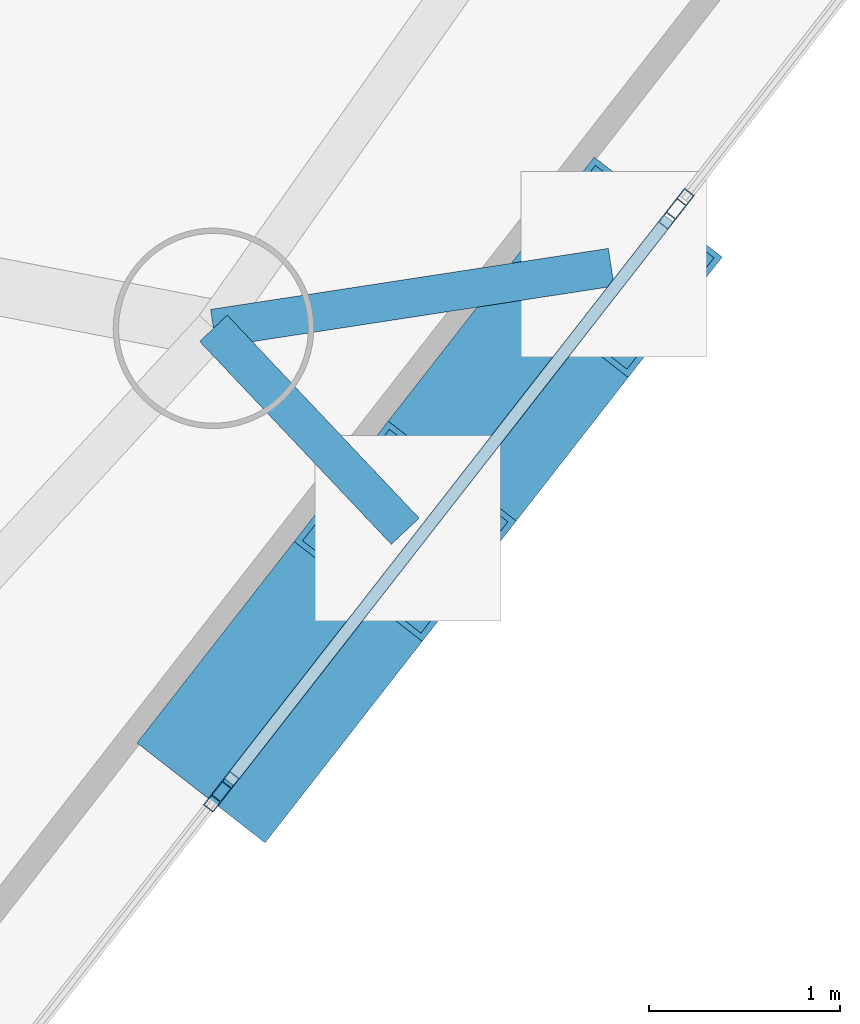
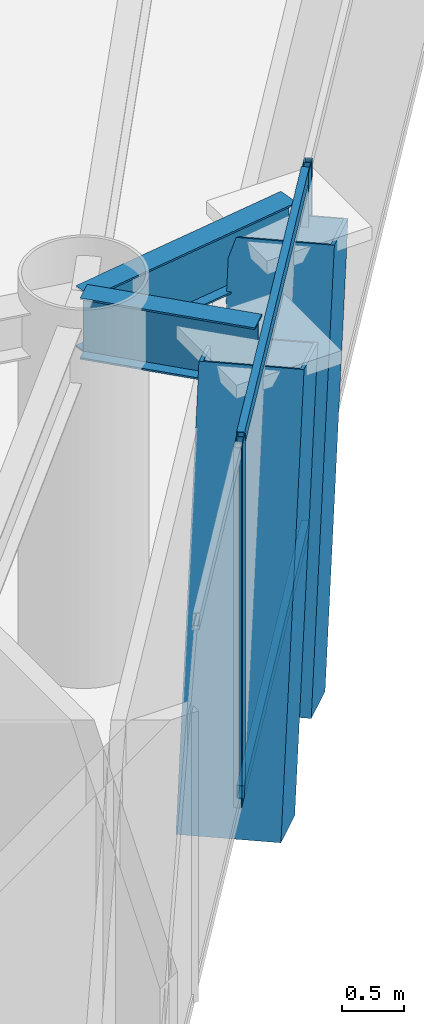
# One storey, part 6 of 18: 8 members, 2 beams, 3 elements without a shape of their own.
"""IFC4 building model written with IfcOpenShell, lengths in metres."""

from ifc_helpers import new_model, si_unit, direction, frame, origin, origin_2d, place, context, subcontext, project, spatial, hollow_rectangle, i_section, extrude, material, layer, layer_set, material_profile, profile_set, type_object, element, aggregate, save


model = new_model("IFC4")

# Units and contexts
model_context = context("Model", 3, precision=1e-05, world=origin(), true_north=direction((0.0, 1.0)))
body_context = subcontext(model_context, "Body", "Model", "MODEL_VIEW")
ifc_project = project(units=[si_unit("LENGTHUNIT", "METRE"), si_unit("AREAUNIT", "SQUARE_METRE"), si_unit("VOLUMEUNIT", "CUBIC_METRE"), si_unit("PLANEANGLEUNIT", "RADIAN"), si_unit("MASSUNIT", "GRAM", prefix="KILO")], contexts=[model_context])

# Site, building, storey
site_placement = place(None, origin())
site = spatial("IfcSite", under=ifc_project, at=site_placement, CompositionType="ELEMENT")
building_placement = place(site_placement, origin())
building = spatial("IfcBuilding", under=site, at=building_placement, Name="Qianvela Tower", CompositionType="ELEMENT")
storey_placement = place(building_placement, frame((0.0, 0.0, 264.89990234375)))
storey = spatial("IfcBuildingStorey", under=building, at=storey_placement, Name="L68", CompositionType="ELEMENT", Elevation=264.89990234375)

# Beams
ifc_material_1 = material(Name="Steel Q355B", Category="steel")
ifc_material_profile_1 = material_profile(ifc_material_1, i_section(OverallWidth=0.199951171875, OverallDepth=0.60009765625, WebThickness=0.010986328125, FlangeThickness=0.01708984375, at=origin_2d()), Name="HN600x200x11x17")
ifc_profile_set_1 = profile_set([ifc_material_profile_1], Name="Steel Q355B")
beam_type = type_object("IfcBeamType", Name="BM-HN600-GIRD", PredefinedType="BEAM", material=ifc_profile_set_1)
beam_1_placement = place(storey_placement, frame((45.43603515625, 20.597900390625, 3.218017578125), z_axis=(0.686775587085, -0.726869515789, 0.0), x_axis=(0.726869515789, 0.686775587085, 0.0)))
element("IfcBeam", 1, at=beam_1_placement, inside=storey, type_object=beam_type, Name="L68 Mega-Brace Column Tie Bracket F3-1", PredefinedType="BEAM", context=body_context, shape_type="SweptSolid", body=[
    extrude(i_section(OverallWidth=0.199951171875, OverallDepth=0.60009765625, WebThickness=0.010986328125, FlangeThickness=0.01708984375, at=origin_2d()), origin(), (0.0, 0.0, 1.0), 1.46142578125),
])
beam_2_placement = place(storey_placement, frame((45.43603515625, 20.597900390625, 3.218017578125), z_axis=(0.98844127112, 0.151604266255, 0.0), x_axis=(-0.151604266255, 0.98844127112, 0.0)))
element("IfcBeam", 2, at=beam_2_placement, inside=storey, type_object=beam_type, Name="L68 Mega-Brace Column Tie Bracket F3-2", PredefinedType="BEAM", context=body_context, shape_type="SweptSolid", body=[
    extrude(i_section(OverallWidth=0.199951171875, OverallDepth=0.60009765625, WebThickness=0.010986328125, FlangeThickness=0.01708984375, at=origin_2d()), origin(), (0.0, 0.0, 1.0), 2.1064453125),
])

# Curtain wall, members
ifc_material_2 = material(Name="Anodised Architectural Aluminium and Insulated Spandrel Panel", Category="aluminium")
ifc_layer_1 = layer(ifc_material_2, 0.179931640625)
ifc_layer_set_1 = layer_set([ifc_layer_1], Name="Anodised Architectural Aluminium and Insulated Spandrel Panel")
curtain_wall_type_1 = type_object("IfcCurtainWallType", Name="CW-BRACEBAY", PredefinedType="USERDEFINED", material=ifc_layer_set_1)
curtain_wall_1_placement = place(storey_placement, origin())
curtain_wall_1 = element("IfcCurtainWall", 3, at=curtain_wall_1_placement, inside=storey, type_object=curtain_wall_type_1, Name="L68 CW-BRACEBAY Curtain Wall 06B", ObjectType="CURTAIN_WALL_SYSTEM", PredefinedType="USERDEFINED")
ifc_material_3 = material(Name="Anodised Architectural Aluminium 6063-T6", Category="aluminium")
ifc_material_profile_2 = material_profile(ifc_material_3, hollow_rectangle(XDim=0.06494140625, YDim=0.159912109375, WallThickness=0.0048828125, at=origin_2d()), Name="ALU-MULL-65x160")
ifc_profile_set_2 = profile_set([ifc_material_profile_2], Name="Anodised Architectural Aluminium 6063-T6")
member_type_1 = type_object("IfcMemberType", Name="CW-BRACEBAY-MULL", PredefinedType="MULLION", material=ifc_profile_set_2)
member_1_placement = place(storey_placement, frame((45.49755859375, 18.197998046875, 0.0), z_axis=(0.0, 0.0, 1.0), x_axis=(-0.788374471269, 0.615195654286, 0.0)))
member_1 = element("IfcMember", 4, at=member_1_placement, type_object=member_type_1, Name="CW-9 mullion 1", PredefinedType="MULLION", context=body_context, shape_type="SweptSolid", body=[
    extrude(hollow_rectangle(XDim=0.06494140625, YDim=0.159912109375, WallThickness=0.0048828125, at=origin_2d()), origin(), (0.0, 0.0, 1.0), 3.52001953125),
])
member_2_placement = place(storey_placement, frame((47.83837890625, 21.19775390625, 0.0), z_axis=(0.0, 0.0, 1.0), x_axis=(-0.788374471269, 0.615195654286, 0.0)))
member_2 = element("IfcMember", 5, at=member_2_placement, type_object=member_type_1, Name="CW-9 mullion 2", PredefinedType="MULLION", context=body_context, shape_type="SweptSolid", body=[
    extrude(hollow_rectangle(XDim=0.06494140625, YDim=0.159912109375, WallThickness=0.0048828125, at=origin_2d()), origin(), (0.0, 0.0, 1.0), 3.52001953125),
])
ifc_material_4 = material(Name="Anodised Architectural Aluminium 6063-T6", Category="aluminium")
ifc_material_profile_3 = material_profile(ifc_material_4, hollow_rectangle(XDim=0.06494140625, YDim=0.1298828125, WallThickness=0.00439453125, at=origin_2d()), Name="ALU-TRAN-65x130")
ifc_profile_set_3 = profile_set([ifc_material_profile_3], Name="Anodised Architectural Aluminium 6063-T6")
member_type_2 = type_object("IfcMemberType", Name="CW-BRACEBAY-TRAN", PredefinedType="USERDEFINED", material=ifc_profile_set_3)
member_3_placement = place(storey_placement, frame((45.517578125, 18.2236328125, 0.03271484375), z_axis=(0.61519169668, 0.788377559508, 0.0), x_axis=(-0.788377559508, 0.61519169668, 0.0)))
member_3 = element("IfcMember", 6, at=member_3_placement, type_object=member_type_2, Name="CW-9 transom 1.1", ObjectType="TRANSOM", PredefinedType="USERDEFINED", context=body_context, shape_type="SweptSolid", body=[
    extrude(hollow_rectangle(XDim=0.06494140625, YDim=0.1298828125, WallThickness=0.00439453125, at=origin_2d()), origin(), (0.0, 0.0, 1.0), 3.739990234375),
])
member_4_placement = place(storey_placement, frame((45.517578125, 18.2236328125, 3.487548828125), z_axis=(0.61519169668, 0.788377559508, 0.0), x_axis=(-0.788377559508, 0.61519169668, 0.0)))
member_4 = element("IfcMember", 7, at=member_4_placement, type_object=member_type_2, Name="CW-9 transom 1.2", ObjectType="TRANSOM", PredefinedType="USERDEFINED", context=body_context, shape_type="SweptSolid", body=[
    extrude(hollow_rectangle(XDim=0.06494140625, YDim=0.1298828125, WallThickness=0.00439453125, at=origin_2d()), origin(), (0.0, 0.0, 1.0), 3.739990234375),
])
aggregate(curtain_wall_1, [member_1, member_2, member_3, member_4])

# Curtain wall, member
ifc_material_5 = material(Name="Anodised Architectural Aluminium and Low-E Glass", Category="aluminium")
ifc_layer_2 = layer(ifc_material_5, 0.159912109375)
ifc_layer_set_2 = layer_set([ifc_layer_2], Name="Anodised Architectural Aluminium and Low-E Glass")
curtain_wall_type_2 = type_object("IfcCurtainWallType", Name="CW-COLIV-Z56", PredefinedType="USERDEFINED", material=ifc_layer_set_2)
curtain_wall_2_placement = place(storey_placement, origin())
curtain_wall_2 = element("IfcCurtainWall", 8, at=curtain_wall_2_placement, inside=storey, type_object=curtain_wall_type_2, Name="L68 CW-COLIV-Z56 Curtain Wall 06A", ObjectType="CURTAIN_WALL_SYSTEM", PredefinedType="USERDEFINED")
ifc_material_6 = material(Name="Anodised Architectural Aluminium 6063-T6", Category="aluminium")
ifc_material_profile_4 = material_profile(ifc_material_6, hollow_rectangle(XDim=0.06494140625, YDim=0.159912109375, WallThickness=0.0048828125, at=origin_2d()), Name="ALU-MULL-65x160")
ifc_profile_set_4 = profile_set([ifc_material_profile_4], Name="Anodised Architectural Aluminium 6063-T6")
member_type_3 = type_object("IfcMemberType", Name="CW-COLIV-Z56-MULL", PredefinedType="MULLION", material=ifc_profile_set_4)
member_5_placement = place(storey_placement, frame((45.45751953125, 18.146728515625, 0.0), z_axis=(0.0, 0.0, 1.0), x_axis=(-0.788364331292, 0.615208648465, 0.0)))
member_5 = element("IfcMember", 9, at=member_5_placement, type_object=member_type_3, Name="CW-5 mullion 3", PredefinedType="MULLION", context=body_context, shape_type="SweptSolid", body=[
    extrude(hollow_rectangle(XDim=0.06494140625, YDim=0.159912109375, WallThickness=0.0048828125, at=origin_2d()), origin(), (0.0, 0.0, 1.0), 3.52001953125),
])
aggregate(curtain_wall_2, [member_5])

curtain_wall_3_placement = place(storey_placement, origin())
curtain_wall_3 = element("IfcCurtainWall", 10, at=curtain_wall_3_placement, inside=storey, type_object=curtain_wall_type_2, Name="L68 CW-COLIV-Z56 Curtain Wall 06C", ObjectType="CURTAIN_WALL_SYSTEM", PredefinedType="USERDEFINED")
member_6_placement = place(storey_placement, frame((47.878173828125, 21.2490234375, 0.0), z_axis=(0.0, 0.0, 1.0), x_axis=(-0.7883660952, 0.615206388084, 0.0)))
member_6 = element("IfcMember", 11, at=member_6_placement, type_object=member_type_3, Name="CW-5 mullion 1", PredefinedType="MULLION", context=body_context, shape_type="SweptSolid", body=[
    extrude(hollow_rectangle(XDim=0.06494140625, YDim=0.159912109375, WallThickness=0.0048828125, at=origin_2d()), origin(), (0.0, 0.0, 1.0), 3.52001953125),
])
aggregate(curtain_wall_3, [member_6])

# Members
ifc_material_7 = material(Name="Steel Q420GJC", Category="steel")
ifc_material_profile_5 = material_profile(ifc_material_7, hollow_rectangle(XDim=0.85009765625, YDim=0.85009765625, WallThickness=0.031982421875, at=origin_2d()), Name="MBOX-850x850x32")
ifc_profile_set_5 = profile_set([ifc_material_profile_5], Name="Steel Q420GJC")
member_type_4 = type_object("IfcMemberType", Name="MBR-MBRACE-850", PredefinedType="BRACE", material=ifc_profile_set_5)
for number, where, z_axis, x_axis, name in (
    (12, (45.616943359375, 18.481201171875, -0.48193359375), (0.209125374249, 0.268015576078, 0.94044363405), (-0.788397835909, 0.615165711279, 0.0), "L68 Tier 11 Exterior Mega-Brace F3A"),
    (13, (46.695068359375, 19.86279296875, -0.48193359375), (0.209184714223, 0.268012097517, 0.940431428079), (-0.788309305792, 0.615279154857, 0.0), "L68 Tier 11 Exterior Mega-Brace F3B"),
):
    element("IfcMember", number, at=place(storey_placement, frame(where, z_axis=z_axis, x_axis=x_axis)), inside=storey, type_object=member_type_4, Name=name, PredefinedType="BRACE", context=body_context, shape_type="SweptSolid", body=[
        extrude(hollow_rectangle(XDim=0.85009765625, YDim=0.85009765625, WallThickness=0.031982421875, at=origin_2d()), origin(), (0.0, 0.0, 1.0), 3.934326171875),
    ])

save(model, "model.ifc")
